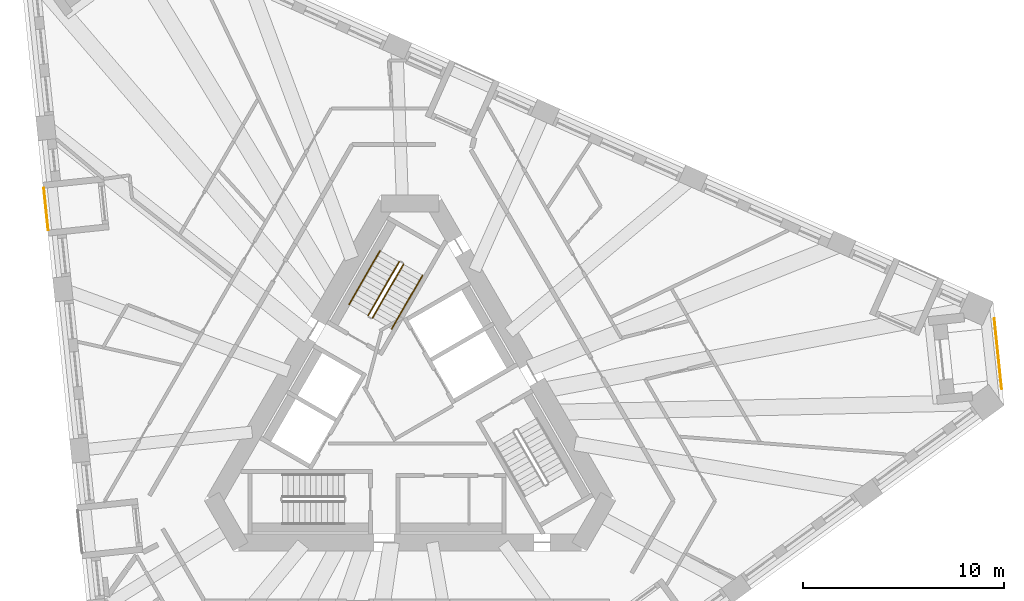
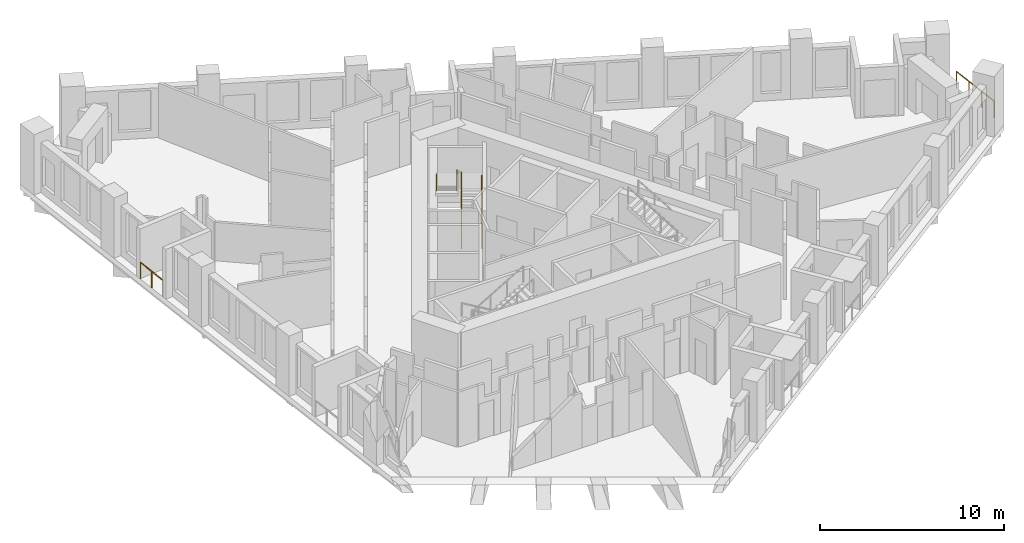
# One storey, part 12 of 14: 6 railings.
"""IFC4 building model written with IfcOpenShell, lengths in metres."""

from ifc_helpers import new_model, si_unit, direction, frame, origin, origin_2d, place, context, subcontext, project, spatial, circle, extrude, material, type_object, element, save


model = new_model("IFC4")

# Units and contexts
model_context = context("Model", 3, precision=1e-05, world=origin(), true_north=direction((0.0, 1.0)))
body_context = subcontext(model_context, "Body", "Model", "MODEL_VIEW")
ifc_project = project(units=[si_unit("LENGTHUNIT", "METRE"), si_unit("AREAUNIT", "SQUARE_METRE"), si_unit("VOLUMEUNIT", "CUBIC_METRE"), si_unit("PLANEANGLEUNIT", "RADIAN"), si_unit("MASSUNIT", "GRAM", prefix="KILO")], contexts=[model_context])

# Site, building, storey
site_placement = place(None, origin())
site = spatial("IfcSite", under=ifc_project, at=site_placement, CompositionType="ELEMENT")
building_placement = place(site_placement, origin())
building = spatial("IfcBuilding", under=site, at=building_placement, Name="Tramontana Tower", CompositionType="ELEMENT")
storey_placement = place(building_placement, frame((0.0, 0.0, 174.800048828125)))
storey = spatial("IfcBuildingStorey", under=building, at=storey_placement, Name="L40", CompositionType="ELEMENT", Elevation=174.800048828125)

# Railings
ifc_material_1 = material(Name="Laminated glass balustrade", Category="glass")
railing_type_1 = type_object("IfcRailingType", Name="GD1 Loggia glass balustrade 1100", PredefinedType="BALUSTRADE", material=ifc_material_1)
railing_1_placement = place(storey_placement, frame((-18.25390625, 11.325439453125, 0.0)))
element("IfcRailing", 1, at=railing_1_placement, inside=storey, type_object=railing_type_1, Name="Loggia balustrade L40 G4S0.4", PredefinedType="BALUSTRADE", context=body_context, shape_type="SweptSolid", body=[
    extrude(circle(Radius=0.02392578125, at=origin_2d()), frame((0.0, 0.0, 1.076171875), z_axis=(0.104569484464, -0.994517583011, 0.0), x_axis=(0.994517583011, 0.104569484464, 0.0)), (0.0, 0.0, 1.0), 2.09423828125),
    extrude(circle(Radius=0.02099609375, at=origin_2d()), origin(), (0.0, 0.0, 1.0), 1.052001953125),
    extrude(circle(Radius=0.02099609375, at=origin_2d()), frame((0.109375, -1.04150390625, 0.0)), (0.0, 0.0, 1.0), 1.052001953125),
    extrude(circle(Radius=0.02099609375, at=origin_2d()), frame((0.218994140625, -2.082763671875, 0.0)), (0.0, 0.0, 1.0), 1.052001953125),
])
railing_2_placement = place(storey_placement, frame((29.125732421875, 4.82080078125, 0.0)))
element("IfcRailing", 2, at=railing_2_placement, inside=storey, type_object=railing_type_1, Name="Corner loggia balustrade L40 K42", PredefinedType="BALUSTRADE", context=body_context, shape_type="SweptSolid", body=[
    extrude(circle(Radius=0.02392578125, at=origin_2d()), frame((0.0, 0.0, 1.076171875), z_axis=(0.104495960989, -0.994525310958, 0.0), x_axis=(0.994525310958, 0.104495960989, 0.0)), (0.0, 0.0, 1.0), 3.499755859375),
    extrude(circle(Radius=0.02099609375, at=origin_2d()), origin(), (0.0, 0.0, 1.0), 1.052001953125),
    extrude(circle(Radius=0.02099609375, at=origin_2d()), frame((0.121826171875, -1.16015625, 0.0)), (0.0, 0.0, 1.0), 1.052001953125),
    extrude(circle(Radius=0.02099609375, at=origin_2d()), frame((0.243896484375, -2.320556640625, 0.0)), (0.0, 0.0, 1.0), 1.052001953125),
    extrude(circle(Radius=0.02099609375, at=origin_2d()), frame((0.36572265625, -3.480712890625, 0.0)), (0.0, 0.0, 1.0), 1.052001953125),
])
ifc_material_2 = material(Name="Painted steel", Category="steel")
railing_type_2 = type_object("IfcRailingType", Name="STAIR GUARD 1100", PredefinedType="GUARDRAIL", material=ifc_material_2)
railing_3_placement = place(storey_placement, frame((-1.867431640625, 4.865478515625, 0.16650390625)))
element("IfcRailing", 3, at=railing_3_placement, inside=storey, type_object=railing_type_2, Name="L40 ST1 stair guard 1", PredefinedType="GUARDRAIL", context=body_context, shape_type="SweptSolid", body=[
    extrude(circle(Radius=0.02392578125, at=origin_2d()), frame((0.0, 0.0, 1.076171875), z_axis=(0.429634447492, 0.7441639146, 0.511502013422), x_axis=(-0.866029832698, 0.499992328818, 0.0)), (0.0, 0.0, 1.0), 3.58447265625),
    extrude(circle(Radius=0.02099609375, at=origin_2d()), origin(), (0.0, 0.0, 1.0), 1.052001953125),
    extrude(circle(Radius=0.02099609375, at=origin_2d()), frame((0.513427734375, 0.88916015625, 0.611083984375)), (0.0, 0.0, 1.0), 1.052001953125),
    extrude(circle(Radius=0.02099609375, at=origin_2d()), frame((1.026611328125, 1.7783203125, 1.222412109375)), (0.0, 0.0, 1.0), 1.052001953125),
    extrude(circle(Radius=0.02099609375, at=origin_2d()), frame((1.5400390625, 2.66748046875, 1.83349609375)), (0.0, 0.0, 1.0), 1.052001953125),
])
railing_4_placement = place(storey_placement, frame((-0.5439453125, 7.657958984375, 2.16650390625)))
element("IfcRailing", 4, at=railing_4_placement, inside=storey, type_object=railing_type_2, Name="L40 ST1 stair guard 2", PredefinedType="GUARDRAIL", context=body_context, shape_type="SweptSolid", body=[
    extrude(circle(Radius=0.02392578125, at=origin_2d()), frame((0.0, 0.0, 1.076171875), z_axis=(-0.429634447492, -0.7441639146, 0.511502013422), x_axis=(0.866029832698, -0.499992328818, 0.0)), (0.0, 0.0, 1.0), 3.58447265625),
    extrude(circle(Radius=0.02099609375, at=origin_2d()), origin(), (0.0, 0.0, 1.0), 1.052001953125),
    extrude(circle(Radius=0.02099609375, at=origin_2d()), frame((-0.513427734375, -0.88916015625, 0.611083984375)), (0.0, 0.0, 1.0), 1.052001953125),
    extrude(circle(Radius=0.02099609375, at=origin_2d()), frame((-1.026611328125, -1.7783203125, 1.222412109375)), (0.0, 0.0, 1.0), 1.052001953125),
    extrude(circle(Radius=0.02099609375, at=origin_2d()), frame((-1.5400390625, -2.66748046875, 1.83349609375)), (0.0, 0.0, 1.0), 1.052001953125),
])
ifc_material_3 = material(Name="Painted steel", Category="steel")
railing_type_3 = type_object("IfcRailingType", Name="STAIR HANDRAIL 900", PredefinedType="HANDRAIL", material=ifc_material_3)
railing_5_placement = place(storey_placement, frame((-0.914794921875, 4.315673828125, 0.16650390625)))
element("IfcRailing", 5, at=railing_5_placement, inside=storey, type_object=railing_type_3, Name="L40 ST1 stair handrail 1", PredefinedType="HANDRAIL", context=body_context, shape_type="SweptSolid", body=[
    extrude(circle(Radius=0.02392578125, at=origin_2d()), frame((0.0, 0.0, 0.8759765625), z_axis=(0.429656224001, 0.744133520484, 0.511527939481), x_axis=(-0.866010015463, 0.500026652407, 0.0)), (0.0, 0.0, 1.0), 3.58447265625),
    extrude(circle(Radius=0.02099609375, at=origin_2d()), origin(), (0.0, 0.0, 1.0), 0.851806640625),
    extrude(circle(Radius=0.02099609375, at=origin_2d()), frame((0.513427734375, 0.88916015625, 0.611083984375)), (0.0, 0.0, 1.0), 0.851806640625),
    extrude(circle(Radius=0.02099609375, at=origin_2d()), frame((1.026611328125, 1.778076171875, 1.222412109375)), (0.0, 0.0, 1.0), 0.851806640625),
    extrude(circle(Radius=0.02099609375, at=origin_2d()), frame((1.5400390625, 2.667236328125, 1.83349609375)), (0.0, 0.0, 1.0), 0.851806640625),
])
railing_6_placement = place(storey_placement, frame((-1.49658203125, 8.2080078125, 2.16650390625)))
element("IfcRailing", 6, at=railing_6_placement, inside=storey, type_object=railing_type_3, Name="L40 ST1 stair handrail 2", PredefinedType="HANDRAIL", context=body_context, shape_type="SweptSolid", body=[
    extrude(circle(Radius=0.02392578125, at=origin_2d()), frame((0.0, 0.0, 0.8759765625), z_axis=(-0.429634447492, -0.7441639146, 0.511502013422), x_axis=(0.866029832698, -0.499992328818, 0.0)), (0.0, 0.0, 1.0), 3.58447265625),
    extrude(circle(Radius=0.02099609375, at=origin_2d()), origin(), (0.0, 0.0, 1.0), 0.851806640625),
    extrude(circle(Radius=0.02099609375, at=origin_2d()), frame((-0.513427734375, -0.88916015625, 0.611083984375)), (0.0, 0.0, 1.0), 0.851806640625),
    extrude(circle(Radius=0.02099609375, at=origin_2d()), frame((-1.026611328125, -1.7783203125, 1.222412109375)), (0.0, 0.0, 1.0), 0.851806640625),
    extrude(circle(Radius=0.02099609375, at=origin_2d()), frame((-1.5400390625, -2.66748046875, 1.83349609375)), (0.0, 0.0, 1.0), 0.851806640625),
])

save(model, "model.ifc")
